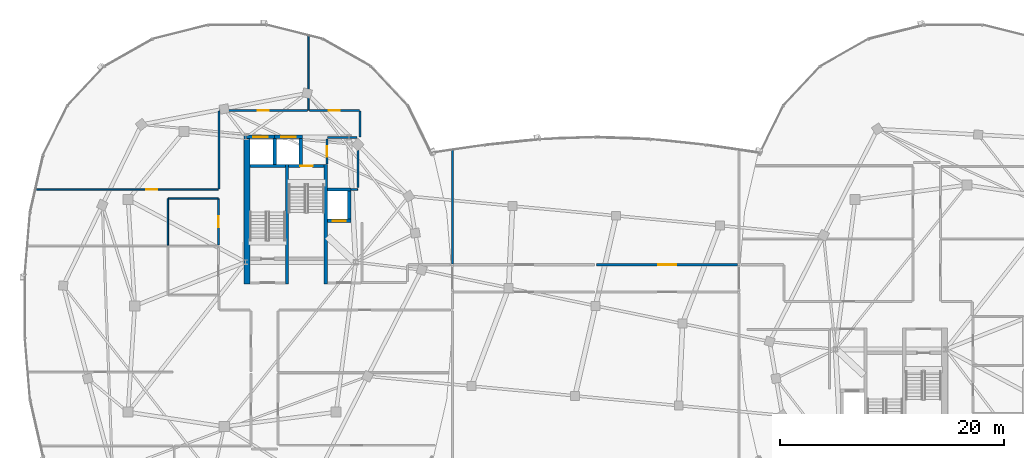
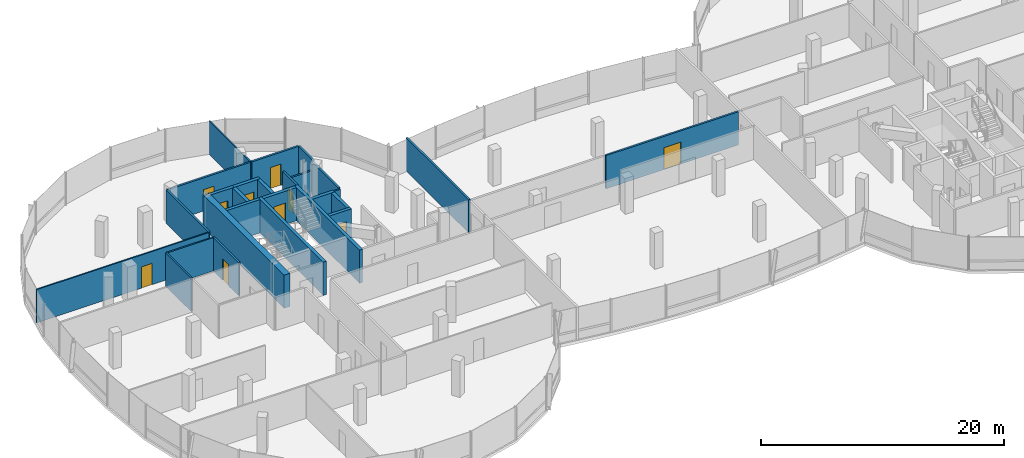
# One storey, part 15 of 25: 27 walls, 10 doors, 10 openings.
"""IFC4 building model written with IfcOpenShell, lengths in metres."""

from ifc_helpers import new_model, si_unit, direction, frame, frame_2d, origin, place, context, subcontext, project, spatial, rectangle, extrude, material, layer, layer_set, type_object, element, fill, save


model = new_model("IFC4")

# Units and contexts
model_context = context("Model", 3, precision=1e-05, world=origin(), true_north=direction((0.0, 1.0)))
body_context = subcontext(model_context, "Body", "Model", "MODEL_VIEW")
ifc_project = project(units=[si_unit("LENGTHUNIT", "METRE"), si_unit("AREAUNIT", "SQUARE_METRE"), si_unit("VOLUMEUNIT", "CUBIC_METRE"), si_unit("PLANEANGLEUNIT", "RADIAN"), si_unit("MASSUNIT", "GRAM", prefix="KILO"), si_unit("THERMODYNAMICTEMPERATUREUNIT", "KELVIN"), si_unit("POWERUNIT", "WATT")], contexts=[model_context])

# Site, building, storey
site_placement = place(None, origin())
site = spatial("IfcSite", under=ifc_project, at=site_placement, CompositionType="ELEMENT")
building_placement = place(site_placement, origin())
building = spatial("IfcBuilding", under=site, at=building_placement, Name="Cundina Bronze Exchange", CompositionType="ELEMENT")
storey_placement = place(building_placement, frame((0.0, 0.0, 250.39990234375)))
storey = spatial("IfcBuildingStorey", under=building, at=storey_placement, Name="L66", CompositionType="ELEMENT", Elevation=250.39990234375)

# Walls
ifc_material_1 = material(Name="Gypsum Fireboard Partition EI120")
ifc_layer_1 = layer(ifc_material_1, 0.179931640625, Name="Gypsum Fireboard Partition EI120")
ifc_layer_set_1 = layer_set([ifc_layer_1], Name="Gypsum Fireboard Partition EI120")
wall_type_1 = type_object("IfcWallType", Name="WL-COR-180", PredefinedType="PARTITIONING", material=ifc_layer_set_1)
wall_1_placement = place(storey_placement, frame((-21.25, 10.570068359375, 0.0), z_axis=(0.0, 0.0, 1.0), x_axis=(0.0, 1.0, 0.0)))
element("IfcWall", 1, at=wall_1_placement, inside=storey, type_object=wall_type_1, Name="L66 Interior Partition 002", PredefinedType="PARTITIONING", context=body_context, shape_type="SweptSolid", body=[
    extrude(rectangle(XDim=4.35986328125, YDim=0.179931640625, at=frame_2d((2.179931640625, 0.0))), origin(), (0.0, 0.0, 1.0), 3.340087890625),
])
wall_2_placement = place(storey_placement, frame((-23.9599609375, 15.030029296875, 0.0), z_axis=(0.0, 0.0, 1.0), x_axis=(1.0, 0.0, 0.0)))
element("IfcWall", 2, at=wall_2_placement, inside=storey, type_object=wall_type_1, Name="L66 Interior Partition 003", PredefinedType="PARTITIONING", context=body_context, shape_type="SweptSolid", body=[
    extrude(rectangle(XDim=2.60986328125, YDim=0.179931640625, at=frame_2d((1.304931640625, 0.0))), origin(), (0.0, 0.0, 1.0), 2.4130859375),
])

# Wall, opening, door
wall_3_placement = place(storey_placement, frame((-24.02001953125, 12.669921875, 0.0), z_axis=(0.0, 0.0, 1.0), x_axis=(0.0, 1.0, 0.0)))
wall_3 = element("IfcWall", 3, at=wall_3_placement, inside=storey, type_object=wall_type_1, Name="L66 Interior Partition 004", PredefinedType="PARTITIONING", context=body_context, shape_type="SweptSolid", body=[
    extrude(rectangle(XDim=2.260009765625, YDim=0.179931640625, at=frame_2d((1.1298828125, 0.0))), origin(), (0.0, 0.0, 1.0), 3.340087890625),
])
opening_1_placement = place(wall_3_placement, frame((0.655029296875, 0.0, 0.0)))
opening_1 = element("IfcOpeningElement", 4, at=opening_1_placement, cuts=wall_3, Name="Opening DW-01", PredefinedType="OPENING", context=body_context, shape_type="SweptSolid", body=[
    extrude(rectangle(XDim=0.949951171875, YDim=2.10009765625, at=frame_2d((0.47509765625, 1.050048828125))), frame((0.0, 0.099853515625, 0.0), z_axis=(0.0, -1.0, 0.0), x_axis=(1.0, 0.0, 0.0)), (0.0, 0.0, 1.0), 0.199951171875),
])
ifc_material_2 = material(Name="Solid Andean Oak Timber Grade A", Category="wood")
door_type_1 = type_object("IfcDoorType", Name="DR-WC-950", OperationType="NOTDEFINED", PredefinedType="DOOR", material=ifc_material_2)
door_1_placement = place(opening_1_placement, origin())
door_1 = element("IfcDoor", 5, at=door_1_placement, inside=storey, type_object=door_type_1, Name="L66 Interior Door 004", OperationType="SINGLE_SWING_LEFT", OverallHeight=2.10009765625, OverallWidth=0.949951171875, PredefinedType="DOOR", context=body_context, shape_type="SweptSolid", body=[
    extrude(rectangle(XDim=0.949951171875, YDim=2.10009765625, at=frame_2d((0.47509765625, 1.050048828125))), frame((0.0, 0.02490234375, 0.0), z_axis=(0.0, -1.0, 0.0), x_axis=(1.0, 0.0, 0.0)), (0.0, 0.0, 1.0), 0.050048828125),
])
fill(opening_1, door_1)

wall_4_placement = place(storey_placement, frame((-33.719970703125, 5.429931640625, 0.0), z_axis=(0.0, 0.0, 1.0), x_axis=(0.0, 1.0, 0.0)))
wall_4 = element("IfcWall", 6, at=wall_4_placement, inside=storey, type_object=wall_type_1, Name="L66 Interior Partition 011", PredefinedType="PARTITIONING", context=body_context, shape_type="SweptSolid", body=[
    extrude(rectangle(XDim=4.16015625, YDim=0.179931640625, at=frame_2d((2.080078125, 0.0))), origin(), (0.0, 0.0, 1.0), 3.340087890625),
])
opening_2_placement = place(wall_4_placement, frame((1.580078125, 0.0, 0.0)))
opening_2 = element("IfcOpeningElement", 7, at=opening_2_placement, cuts=wall_4, Name="Opening DO-01", PredefinedType="OPENING", context=body_context, shape_type="SweptSolid", body=[
    extrude(rectangle(XDim=1.0, YDim=2.14990234375, at=frame_2d((0.5, 1.074951171875))), frame((0.0, 0.099853515625, 0.0), z_axis=(0.0, -1.0, 0.0), x_axis=(1.0, 0.0, 0.0)), (0.0, 0.0, 1.0), 0.199951171875),
])
door_type_2 = type_object("IfcDoorType", Name="DR-OFF-1000", OperationType="NOTDEFINED", PredefinedType="DOOR", material=ifc_material_2)
door_2_placement = place(opening_2_placement, origin())
door_2 = element("IfcDoor", 8, at=door_2_placement, inside=storey, type_object=door_type_2, Name="L66 Interior Door 011", OperationType="SINGLE_SWING_LEFT", OverallHeight=2.14990234375, OverallWidth=1.0, PredefinedType="DOOR", context=body_context, shape_type="SweptSolid", body=[
    extrude(rectangle(XDim=1.0, YDim=2.14990234375, at=frame_2d((0.5, 1.074951171875))), frame((0.0, 0.02490234375, 0.0), z_axis=(0.0, -1.0, 0.0), x_axis=(1.0, 0.0, 0.0)), (0.0, 0.0, 1.0), 0.050048828125),
])
fill(opening_2, door_2)

wall_5_placement = place(storey_placement, frame((-21.12158203125, 17.469970703125, 0.0), z_axis=(0.0, 0.0, 1.0), x_axis=(-1.0, 0.0, 0.0)))
wall_5 = element("IfcWall", 9, at=wall_5_placement, inside=storey, type_object=wall_type_1, Name="L66 Interior Partition 025", PredefinedType="PARTITIONING", context=body_context, shape_type="SweptSolid", body=[
    extrude(rectangle(XDim=4.468505859375, YDim=0.179931640625, at=frame_2d((2.234375, 0.0))), origin(), (0.0, 0.0, 1.0), 3.340087890625),
])
opening_3_placement = place(wall_5_placement, frame((1.734130859375, 0.0, 0.0)))
opening_3 = element("IfcOpeningElement", 10, at=opening_3_placement, cuts=wall_5, Name="Opening DO-01", PredefinedType="OPENING", context=body_context, shape_type="SweptSolid", body=[
    extrude(rectangle(XDim=1.0, YDim=2.14990234375, at=frame_2d((0.5, 1.074951171875))), frame((0.0, 0.099853515625, 0.0), z_axis=(0.0, -1.0, 0.0), x_axis=(1.0, 0.0, 0.0)), (0.0, 0.0, 1.0), 0.199951171875),
])
door_3_placement = place(opening_3_placement, origin())
door_3 = element("IfcDoor", 11, at=door_3_placement, inside=storey, type_object=door_type_2, Name="L66 Interior Door 025", OperationType="SINGLE_SWING_RIGHT", OverallHeight=2.14990234375, OverallWidth=1.0, PredefinedType="DOOR", context=body_context, shape_type="SweptSolid", body=[
    extrude(rectangle(XDim=1.0, YDim=2.14990234375, at=frame_2d((0.5, 1.074951171875))), frame((0.0, 0.02490234375, 0.0), z_axis=(0.0, -1.0, 0.0), x_axis=(1.0, 0.0, 0.0)), (0.0, 0.0, 1.0), 0.050048828125),
])
fill(opening_3, door_3)

# Wall
wall_6_placement = place(storey_placement, frame((-21.080078125, 15.071533203125, 0.0), z_axis=(0.0, 0.0, 1.0), x_axis=(0.0, 1.0, 0.0)))
element("IfcWall", 12, at=wall_6_placement, inside=storey, type_object=wall_type_1, Name="L66 Interior Partition 028", PredefinedType="PARTITIONING", context=body_context, shape_type="SweptSolid", body=[
    extrude(rectangle(XDim=2.35693359375, YDim=0.179931640625, at=frame_2d((1.178466796875, 0.0))), origin(), (0.0, 0.0, 1.0), 3.340087890625),
])

# Wall, opening, door
wall_7_placement = place(storey_placement, frame((-25.77001953125, 17.469970703125, 0.0), z_axis=(0.0, 0.0, 1.0), x_axis=(-1.0, 0.0, 0.0)))
wall_7 = element("IfcWall", 13, at=wall_7_placement, inside=storey, type_object=wall_type_1, Name="L66 Interior Partition 030", PredefinedType="PARTITIONING", context=body_context, shape_type="SweptSolid", body=[
    extrude(rectangle(XDim=7.8583984375, YDim=0.179931640625, at=frame_2d((3.92919921875, 0.0))), origin(), (0.0, 0.0, 1.0), 3.340087890625),
])
opening_4_placement = place(wall_7_placement, frame((3.42919921875, 0.0, 0.0)))
opening_4 = element("IfcOpeningElement", 14, at=opening_4_placement, cuts=wall_7, Name="Opening DO-01", PredefinedType="OPENING", context=body_context, shape_type="SweptSolid", body=[
    extrude(rectangle(XDim=1.0, YDim=2.14990234375, at=frame_2d((0.5, 1.074951171875))), frame((0.0, 0.099853515625, 0.0), z_axis=(0.0, -1.0, 0.0), x_axis=(1.0, 0.0, 0.0)), (0.0, 0.0, 1.0), 0.199951171875),
])
door_4_placement = place(opening_4_placement, origin())
door_4 = element("IfcDoor", 15, at=door_4_placement, inside=storey, type_object=door_type_2, Name="L66 Interior Door 030", OperationType="SINGLE_SWING_LEFT", OverallHeight=2.14990234375, OverallWidth=1.0, PredefinedType="DOOR", context=body_context, shape_type="SweptSolid", body=[
    extrude(rectangle(XDim=1.0, YDim=2.14990234375, at=frame_2d((0.5, 1.074951171875))), frame((0.0, 0.02490234375, 0.0), z_axis=(0.0, -1.0, 0.0), x_axis=(1.0, 0.0, 0.0)), (0.0, 0.0, 1.0), 0.050048828125),
])
fill(opening_4, door_4)

# Wall
wall_8_placement = place(storey_placement, frame((-33.669921875, 17.428466796875, 0.0), z_axis=(0.0, 0.0, 1.0), x_axis=(0.0, -1.0, 0.0)))
element("IfcWall", 16, at=wall_8_placement, inside=storey, type_object=wall_type_1, Name="L66 Interior Partition 031", PredefinedType="PARTITIONING", context=body_context, shape_type="SweptSolid", body=[
    extrude(rectangle(XDim=6.978515625, YDim=0.179931640625, at=frame_2d((3.4892578125, 0.0))), origin(), (0.0, 0.0, 1.0), 3.340087890625),
])

# Wall, opening, door
wall_9_placement = place(storey_placement, frame((12.6884765625, 3.669921875, 0.0), z_axis=(0.0, 0.0, 1.0), x_axis=(-1.0, 0.0, 0.0)))
wall_9 = element("IfcWall", 17, at=wall_9_placement, inside=storey, type_object=wall_type_1, Name="L66 Interior Partition 071", PredefinedType="PARTITIONING", context=body_context, shape_type="SweptSolid", body=[
    extrude(rectangle(XDim=12.593505859375, YDim=0.179931640625, at=frame_2d((6.296875, 0.0))), origin(), (0.0, 0.0, 1.0), 3.340087890625),
])
opening_5_placement = place(wall_9_placement, frame((5.49658203125, 0.0, 0.0)))
opening_5 = element("IfcOpeningElement", 18, at=opening_5_placement, cuts=wall_9, Name="Opening DO-02", PredefinedType="OPENING", context=body_context, shape_type="SweptSolid", body=[
    extrude(rectangle(XDim=1.60009765625, YDim=2.199951171875, at=frame_2d((0.800048828125, 1.10009765625))), frame((0.0, 0.099853515625, 0.0), z_axis=(0.0, -1.0, 0.0), x_axis=(1.0, 0.0, 0.0)), (0.0, 0.0, 1.0), 0.199951171875),
])
door_type_3 = type_object("IfcDoorType", Name="DR-TRD-1600", OperationType="NOTDEFINED", PredefinedType="DOOR", material=ifc_material_2)
door_5_placement = place(opening_5_placement, origin())
door_5 = element("IfcDoor", 19, at=door_5_placement, inside=storey, type_object=door_type_3, Name="L66 Interior Door 071", OperationType="SINGLE_SWING_LEFT", OverallHeight=2.199951171875, OverallWidth=1.60009765625, PredefinedType="DOOR", context=body_context, shape_type="SweptSolid", body=[
    extrude(rectangle(XDim=1.60009765625, YDim=2.199951171875, at=frame_2d((0.800048828125, 1.10009765625))), frame((0.0, 0.02490234375, 0.0), z_axis=(0.0, -1.0, 0.0), x_axis=(1.0, 0.0, 0.0)), (0.0, 0.0, 1.0), 0.050048828125),
])
fill(opening_5, door_5)

# Walls
wall_10_placement = place(storey_placement, frame((-12.800048828125, 3.739990234375, 0.0), z_axis=(0.0, 0.0, 1.0), x_axis=(0.0, 1.0, 0.0)))
element("IfcWall", 20, at=wall_10_placement, inside=storey, type_object=wall_type_1, Name="L66 Interior Partition 074", PredefinedType="PARTITIONING", context=body_context, shape_type="SweptSolid", body=[
    extrude(rectangle(XDim=10.3037109375, YDim=0.179931640625, at=frame_2d((5.15185546875, 0.0))), origin(), (0.0, 0.0, 1.0), 3.340087890625),
])
ifc_material_3 = material(Name="Concrete C50/60", Category="concrete")
ifc_layer_2 = layer(ifc_material_3, 0.550048828125, Name="Concrete C50/60", Category="concrete")
ifc_layer_set_2 = layer_set([ifc_layer_2], Name="Concrete C50/60")
wall_type_2 = type_object("IfcWallType", Name="WL-CORE-550", PredefinedType="SHEAR", material=ifc_layer_set_2)
wall_11_placement = place(storey_placement, frame((-31.175048828125, 1.969970703125, 0.0), z_axis=(0.0, 0.0, 1.0), x_axis=(0.0, 1.0, 0.0)))
element("IfcWall", 21, at=wall_11_placement, inside=storey, type_object=wall_type_2, Name="L66 W Primary Core Shear Spine Wall", PredefinedType="SHEAR", context=body_context, shape_type="SweptSolid", body=[
    extrude(rectangle(XDim=13.330078125, YDim=0.550048828125, at=frame_2d((6.6650390625, 0.0))), origin(), (0.0, 0.0, 1.0), 3.340087890625),
])
ifc_material_4 = material(Name="Gypsum Acoustic Partition EI60")
ifc_layer_3 = layer(ifc_material_4, 0.125, Name="Gypsum Acoustic Partition EI60")
ifc_layer_set_3 = layer_set([ifc_layer_3], Name="Gypsum Acoustic Partition EI60")
wall_type_3 = type_object("IfcWallType", Name="WL-OFF-125", PredefinedType="PARTITIONING", material=ifc_layer_set_3)
wall_12_placement = place(storey_placement, frame((-25.679931640625, 17.5, 0.0), z_axis=(0.0, 0.0, 1.0), x_axis=(0.0, 1.0, 0.0)))
element("IfcWall", 22, at=wall_12_placement, inside=storey, type_object=wall_type_3, Name="L66 Interior Partition 016", PredefinedType="PARTITIONING", context=body_context, shape_type="SweptSolid", body=[
    extrude(rectangle(XDim=6.759765625, YDim=0.125, at=frame_2d((3.3798828125, 0.0))), origin(), (0.0, 0.0, 1.0), 3.340087890625),
])

# Wall, opening, door
wall_13_placement = place(storey_placement, frame((-50.1455078125, 10.409912109375, 0.0), z_axis=(0.0, 0.0, 1.0), x_axis=(1.0, 0.0, 0.0)))
wall_13 = element("IfcWall", 23, at=wall_13_placement, inside=storey, type_object=wall_type_3, Name="L66 Interior Partition 035", PredefinedType="PARTITIONING", context=body_context, shape_type="SweptSolid", body=[
    extrude(rectangle(XDim=16.3955078125, YDim=0.125, at=frame_2d((8.19775390625, 0.0))), origin(), (0.0, 0.0, 1.0), 3.340087890625),
])
opening_6_placement = place(wall_13_placement, frame((9.97119140625, 0.0, 0.0)))
opening_6 = element("IfcOpeningElement", 24, at=opening_6_placement, cuts=wall_13, Name="Opening DO-01", PredefinedType="OPENING", context=body_context, shape_type="SweptSolid", body=[
    extrude(rectangle(XDim=1.0, YDim=2.14990234375, at=frame_2d((0.5, 1.074951171875))), frame((0.0, 0.072509765625, 0.0), z_axis=(0.0, -1.0, 0.0), x_axis=(1.0, 0.0, 0.0)), (0.0, 0.0, 1.0), 0.14501953125),
])
door_6_placement = place(opening_6_placement, origin())
door_6 = element("IfcDoor", 25, at=door_6_placement, inside=storey, type_object=door_type_2, Name="L66 Interior Door 035", OperationType="SINGLE_SWING_RIGHT", OverallHeight=2.14990234375, OverallWidth=1.0, PredefinedType="DOOR", context=body_context, shape_type="SweptSolid", body=[
    extrude(rectangle(XDim=1.0, YDim=2.14990234375, at=frame_2d((0.5, 1.074951171875))), frame((0.0, 0.02490234375, 0.0), z_axis=(0.0, -1.0, 0.0), x_axis=(1.0, 0.0, 0.0)), (0.0, 0.0, 1.0), 0.050048828125),
])
fill(opening_6, door_6)

# Walls
ifc_layer_4 = layer(ifc_material_3, 0.300048828125, Name="Concrete C50/60", Category="concrete")
ifc_layer_set_4 = layer_set([ifc_layer_4], Name="Concrete C50/60")
wall_type_4 = type_object("IfcWallType", Name="WL-SHFT-300", PredefinedType="SHEAR", material=ifc_layer_set_4)
for number, where, z_axis, x_axis, name in (
    (26, (-27.590087890625, 1.969970703125, 0.0), (0.0, 0.0, 1.0), (0.0, 1.0, 0.0), "L66 W Stair Shaft Dividing Shear Wall"),
    (27, (-24.1298828125, 1.969970703125, 0.0), (0.0, 0.0, 1.0), (0.0, 1.0, 0.0), "L66 W Stair 2 East Shear Wall"),
):
    element("IfcWall", number, at=place(storey_placement, frame(where, z_axis=z_axis, x_axis=x_axis)), inside=storey, type_object=wall_type_4, Name=name, PredefinedType="SHEAR", context=body_context, shape_type="SweptSolid", body=[
        extrude(rectangle(XDim=10.679931640625, YDim=0.300048828125, at=frame_2d((5.33984375, 0.0))), origin(), (0.0, 0.0, 1.0), 3.340087890625),
    ])
wall_14_placement = place(storey_placement, frame((-30.89990234375, 12.5, 0.0), z_axis=(0.0, 0.0, 1.0), x_axis=(1.0, 0.0, 0.0)))
element("IfcWall", 28, at=wall_14_placement, inside=storey, type_object=wall_type_4, Name="L66 Stair W1 Far Shaft Wall", PredefinedType="SHEAR", context=body_context, shape_type="SweptSolid", body=[
    extrude(rectangle(XDim=3.159912109375, YDim=0.300048828125, at=frame_2d((1.580078125, 0.0))), origin(), (0.0, 0.0, 1.0), 3.340087890625),
])

# Wall, opening, door
wall_15_placement = place(storey_placement, frame((-27.43994140625, 12.5, 0.0), z_axis=(0.0, 0.0, 1.0), x_axis=(1.0, 0.0, 0.0)))
wall_15 = element("IfcWall", 29, at=wall_15_placement, inside=storey, type_object=wall_type_4, Name="L66 Stair W2 Landing Wall", PredefinedType="SHEAR", context=body_context, shape_type="SweptSolid", body=[
    extrude(rectangle(XDim=3.159912109375, YDim=0.300048828125, at=frame_2d((1.580078125, 0.0))), origin(), (0.0, 0.0, 1.0), 3.340087890625),
])
opening_7_placement = place(wall_15_placement, frame((1.030029296875, 0.0, 0.0)))
opening_7 = element("IfcOpeningElement", 30, at=opening_7_placement, cuts=wall_15, Name="Opening DS-01", PredefinedType="OPENING", context=body_context, shape_type="SweptSolid", body=[
    extrude(rectangle(XDim=1.10009765625, YDim=2.14990234375, at=frame_2d((0.550048828125, 1.074951171875))), frame((0.0, 0.159912109375, 0.0), z_axis=(0.0, -1.0, 0.0), x_axis=(1.0, 0.0, 0.0)), (0.0, 0.0, 1.0), 0.320068359375),
])
ifc_material_5 = material(Name="Steel ASTM A36 Painted", Category="steel")
door_type_4 = type_object("IfcDoorType", Name="DR-STR-1100", OperationType="NOTDEFINED", PredefinedType="DOOR", material=ifc_material_5)
door_7_placement = place(opening_7_placement, origin())
door_7 = element("IfcDoor", 31, at=door_7_placement, inside=storey, type_object=door_type_4, Name="L66 Smokeproof Stair W2 Door", OperationType="SINGLE_SWING_LEFT", OverallHeight=2.14990234375, OverallWidth=1.10009765625, PredefinedType="DOOR", context=body_context, shape_type="SweptSolid", body=[
    extrude(rectangle(XDim=1.10009765625, YDim=2.14990234375, at=frame_2d((0.550048828125, 1.074951171875))), frame((0.0, 0.02490234375, 0.0), z_axis=(0.0, -1.0, 0.0), x_axis=(1.0, 0.0, 0.0)), (0.0, 0.0, 1.0), 0.050048828125),
])
fill(opening_7, door_7)

wall_16_placement = place(storey_placement, frame((-23.97998046875, 7.60009765625, 0.0), z_axis=(0.0, 0.0, 1.0), x_axis=(1.0, 0.0, 0.0)))
wall_16 = element("IfcWall", 32, at=wall_16_placement, inside=storey, type_object=wall_type_4, Name="L66 FFL-W Hoistway Front Wall", PredefinedType="SHEAR", context=body_context, shape_type="SweptSolid", body=[
    extrude(rectangle(XDim=2.10009765625, YDim=0.300048828125, at=frame_2d((1.050048828125, 0.0))), origin(), (0.0, 0.0, 1.0), 3.340087890625),
])
opening_8_placement = place(wall_16_placement, frame((0.47509765625, 0.0, 0.0)))
opening_8 = element("IfcOpeningElement", 33, at=opening_8_placement, cuts=wall_16, Name="Opening LD-01", PredefinedType="OPENING", context=body_context, shape_type="SweptSolid", body=[
    extrude(rectangle(XDim=1.14990234375, YDim=2.199951171875, at=frame_2d((0.574951171875, 1.10009765625))), frame((0.0, 0.159912109375, 0.0), z_axis=(0.0, -1.0, 0.0), x_axis=(1.0, 0.0, 0.0)), (0.0, 0.0, 1.0), 0.320068359375),
])
door_type_5 = type_object("IfcDoorType", Name="DR-LND-1150", OperationType="NOTDEFINED", PredefinedType="TRAPDOOR", material=ifc_material_5)
door_8_placement = place(opening_8_placement, origin())
door_8 = element("IfcDoor", 34, at=door_8_placement, inside=storey, type_object=door_type_5, Name="L66 FFL-W Sliding Landing Door", OperationType="SLIDING_TO_LEFT", OverallHeight=2.199951171875, OverallWidth=1.14990234375, PredefinedType="TRAPDOOR", context=body_context, shape_type="SweptSolid", body=[
    extrude(rectangle(XDim=1.14990234375, YDim=2.199951171875, at=frame_2d((0.574951171875, 1.10009765625))), frame((0.0, 0.02490234375, 0.0), z_axis=(0.0, -1.0, 0.0), x_axis=(1.0, 0.0, 0.0)), (0.0, 0.0, 1.0), 0.050048828125),
])
fill(opening_8, door_8)

# Walls
wall_17_placement = place(storey_placement, frame((-23.97998046875, 10.39990234375, 0.0), z_axis=(0.0, 0.0, 1.0), x_axis=(1.0, 0.0, 0.0)))
element("IfcWall", 35, at=wall_17_placement, inside=storey, type_object=wall_type_4, Name="L66 FFL-W Hoistway Back Wall", PredefinedType="SHEAR", context=body_context, shape_type="SweptSolid", body=[
    extrude(rectangle(XDim=2.10009765625, YDim=0.300048828125, at=frame_2d((1.050048828125, 0.0))), origin(), (0.0, 0.0, 1.0), 3.340087890625),
])
wall_18_placement = place(storey_placement, frame((-22.030029296875, 7.75, 0.0), z_axis=(0.0, 0.0, 1.0), x_axis=(0.0, 1.0, 0.0)))
element("IfcWall", 36, at=wall_18_placement, inside=storey, type_object=wall_type_4, Name="L66 FFL-W Hoistway Side Wall", PredefinedType="SHEAR", context=body_context, shape_type="SweptSolid", body=[
    extrude(rectangle(XDim=2.5, YDim=0.300048828125, at=frame_2d((1.25, 0.0))), origin(), (0.0, 0.0, 1.0), 3.340087890625),
])

# Wall, opening, door
wall_19_placement = place(storey_placement, frame((-31.199951171875, 15.10009765625, 0.0), z_axis=(0.0, 0.0, 1.0), x_axis=(1.0, 0.0, 0.0)))
wall_19 = element("IfcWall", 37, at=wall_19_placement, inside=storey, type_object=wall_type_4, Name="L66 PH-W1 Hoistway Front Wall", PredefinedType="SHEAR", context=body_context, shape_type="SweptSolid", body=[
    extrude(rectangle(XDim=2.5, YDim=0.300048828125, at=frame_2d((1.25, 0.0))), origin(), (0.0, 0.0, 1.0), 3.340087890625),
])
opening_9_placement = place(wall_19_placement, frame((0.60009765625, 0.0, 0.0)))
opening_9 = element("IfcOpeningElement", 38, at=opening_9_placement, cuts=wall_19, Name="Opening LD-02", PredefinedType="OPENING", context=body_context, shape_type="SweptSolid", body=[
    extrude(rectangle(XDim=1.300048828125, YDim=2.199951171875, at=frame_2d((0.64990234375, 1.10009765625))), frame((0.0, 0.159912109375, 0.0), z_axis=(0.0, -1.0, 0.0), x_axis=(1.0, 0.0, 0.0)), (0.0, 0.0, 1.0), 0.320068359375),
])
door_type_6 = type_object("IfcDoorType", Name="DR-LND-1300", OperationType="NOTDEFINED", PredefinedType="TRAPDOOR", material=ifc_material_5)
door_9_placement = place(opening_9_placement, origin())
door_9 = element("IfcDoor", 39, at=door_9_placement, inside=storey, type_object=door_type_6, Name="L66 PH-W1 Sliding Landing Door", OperationType="SLIDING_TO_LEFT", OverallHeight=2.199951171875, OverallWidth=1.300048828125, PredefinedType="TRAPDOOR", context=body_context, shape_type="SweptSolid", body=[
    extrude(rectangle(XDim=1.300048828125, YDim=2.199951171875, at=frame_2d((0.64990234375, 1.10009765625))), frame((0.0, 0.02490234375, 0.0), z_axis=(0.0, -1.0, 0.0), x_axis=(1.0, 0.0, 0.0)), (0.0, 0.0, 1.0), 0.050048828125),
])
fill(opening_9, door_9)

# Wall
wall_20_placement = place(storey_placement, frame((-28.699951171875, 12.64990234375, 0.0), z_axis=(0.0, 0.0, 1.0), x_axis=(0.0, 1.0, 0.0)))
element("IfcWall", 40, at=wall_20_placement, inside=storey, type_object=wall_type_4, Name="L66 PH-W1 Hoistway Divider Wall", PredefinedType="SHEAR", context=body_context, shape_type="SweptSolid", body=[
    extrude(rectangle(XDim=2.300048828125, YDim=0.300048828125, at=frame_2d((1.14990234375, 0.0))), origin(), (0.0, 0.0, 1.0), 3.340087890625),
])

# Wall, opening, door
wall_21_placement = place(storey_placement, frame((-28.699951171875, 15.10009765625, 0.0), z_axis=(0.0, 0.0, 1.0), x_axis=(1.0, 0.0, 0.0)))
wall_21 = element("IfcWall", 41, at=wall_21_placement, inside=storey, type_object=wall_type_4, Name="L66 PH-W2 Hoistway Front Wall", PredefinedType="SHEAR", context=body_context, shape_type="SweptSolid", body=[
    extrude(rectangle(XDim=2.5, YDim=0.300048828125, at=frame_2d((1.25, 0.0))), origin(), (0.0, 0.0, 1.0), 3.340087890625),
])
opening_10_placement = place(wall_21_placement, frame((0.60009765625, 0.0, 0.0)))
opening_10 = element("IfcOpeningElement", 42, at=opening_10_placement, cuts=wall_21, Name="Opening LD-02", PredefinedType="OPENING", context=body_context, shape_type="SweptSolid", body=[
    extrude(rectangle(XDim=1.300048828125, YDim=2.199951171875, at=frame_2d((0.64990234375, 1.10009765625))), frame((0.0, 0.159912109375, 0.0), z_axis=(0.0, -1.0, 0.0), x_axis=(1.0, 0.0, 0.0)), (0.0, 0.0, 1.0), 0.320068359375),
])
door_10_placement = place(opening_10_placement, origin())
door_10 = element("IfcDoor", 43, at=door_10_placement, inside=storey, type_object=door_type_6, Name="L66 PH-W2 Sliding Landing Door", OperationType="SLIDING_TO_LEFT", OverallHeight=2.199951171875, OverallWidth=1.300048828125, PredefinedType="TRAPDOOR", context=body_context, shape_type="SweptSolid", body=[
    extrude(rectangle(XDim=1.300048828125, YDim=2.199951171875, at=frame_2d((0.64990234375, 1.10009765625))), frame((0.0, 0.02490234375, 0.0), z_axis=(0.0, -1.0, 0.0), x_axis=(1.0, 0.0, 0.0)), (0.0, 0.0, 1.0), 0.050048828125),
])
fill(opening_10, door_10)

# Walls
wall_22_placement = place(storey_placement, frame((-26.35009765625, 12.64990234375, 0.0), z_axis=(0.0, 0.0, 1.0), x_axis=(0.0, 1.0, 0.0)))
element("IfcWall", 44, at=wall_22_placement, inside=storey, type_object=wall_type_4, Name="L66 PH-W2 Hoistway Divider Wall", PredefinedType="SHEAR", context=body_context, shape_type="SweptSolid", body=[
    extrude(rectangle(XDim=2.300048828125, YDim=0.300048828125, at=frame_2d((1.14990234375, 0.0))), origin(), (0.0, 0.0, 1.0), 3.340087890625),
])
ifc_material_6 = material(Name="Moisture-Resistant Masonry Block Grade M15", Category="masonry")
ifc_layer_5 = layer(ifc_material_6, 0.139892578125, Name="Moisture-Resistant Masonry Block Grade M15", Category="masonry")
ifc_layer_set_5 = layer_set([ifc_layer_5], Name="Moisture-Resistant Masonry Block Grade M15")
wall_type_5 = type_object("IfcWallType", Name="WL-WET-140", PredefinedType="PARTITIONING", material=ifc_layer_set_5)
wall_23_placement = place(storey_placement, frame((-21.860107421875, 10.39990234375, 0.0), z_axis=(0.0, 0.0, 1.0), x_axis=(1.0, 0.0, 0.0)))
element("IfcWall", 45, at=wall_23_placement, inside=storey, type_object=wall_type_5, Name="L66 Interior Partition 001", PredefinedType="PARTITIONING", context=body_context, shape_type="SweptSolid", body=[
    extrude(rectangle(XDim=0.590087890625, YDim=0.139892578125, at=frame_2d((0.294921875, 0.0))), origin(), (0.0, 0.0, 1.0), 3.340087890625),
])
wall_24_placement = place(storey_placement, frame((-38.239990234375, 5.4150390625, 0.0), z_axis=(0.0, 0.0, 1.0), x_axis=(0.0, 1.0, 0.0)))
element("IfcWall", 46, at=wall_24_placement, inside=storey, type_object=wall_type_5, Name="L66 Interior Partition 006", PredefinedType="PARTITIONING", context=body_context, shape_type="SweptSolid", body=[
    extrude(rectangle(XDim=4.175048828125, YDim=0.139892578125, at=frame_2d((2.08740234375, 0.0))), origin(), (0.0, 0.0, 1.0), 3.340087890625),
])
wall_25_placement = place(storey_placement, frame((-38.219970703125, 9.610107421875, 0.0), z_axis=(0.0, 0.0, 1.0), x_axis=(1.0, 0.0, 0.0)))
element("IfcWall", 47, at=wall_25_placement, inside=storey, type_object=wall_type_5, Name="L66 Interior Partition 009", PredefinedType="PARTITIONING", context=body_context, shape_type="SweptSolid", body=[
    extrude(rectangle(XDim=4.47998046875, YDim=0.139892578125, at=frame_2d((2.239990234375, 0.0))), origin(), (0.0, 0.0, 1.0), 3.340087890625),
])

save(model, "model.ifc")
